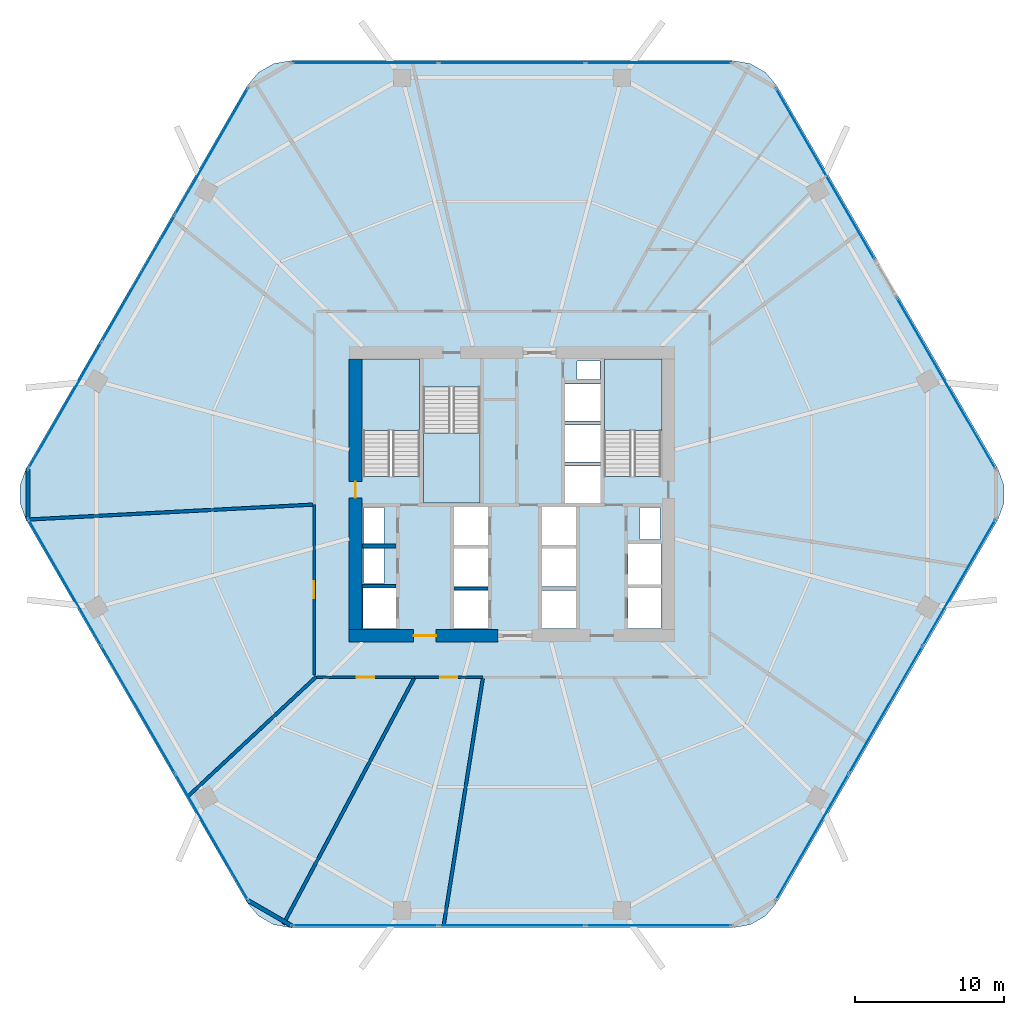
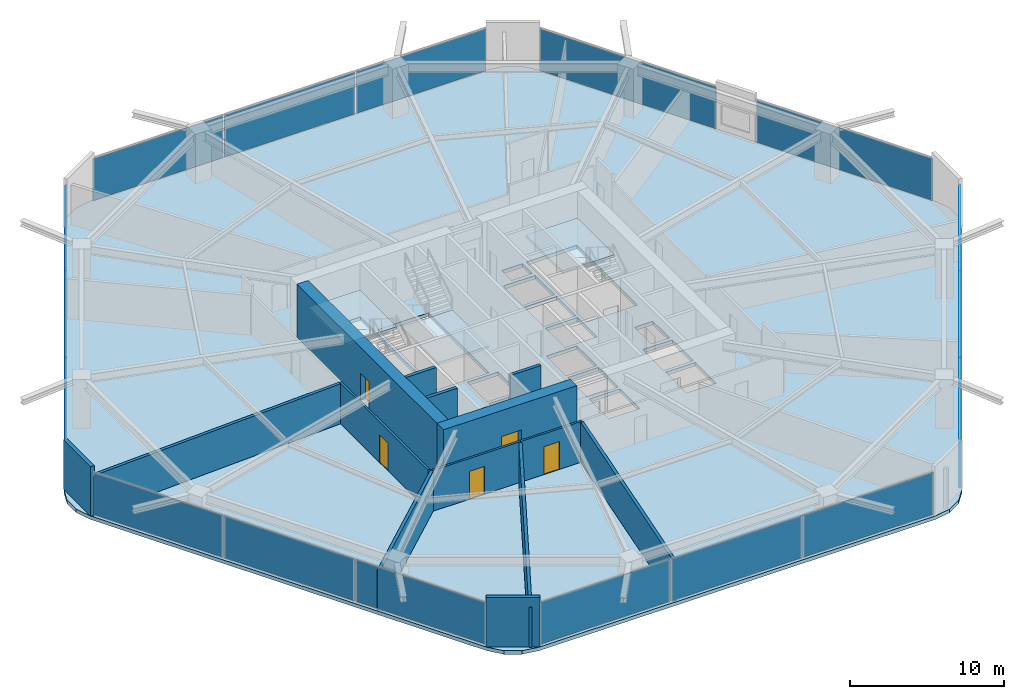
# One storey, part 21 of 25: 17 plates, 14 walls, 5 doors, 4 slabs, 5 openings, 10 elements without a shape of their own.
"""IFC4 building model written with IfcOpenShell, lengths in metres."""

from ifc_helpers import new_model, si_unit, direction, frame, frame_2d, origin, origin_2d, place, context, subcontext, project, spatial, polyline, rectangle, outline, extrude, material, layer, layer_set, type_object, element, fill, aggregate, save


model = new_model("IFC4")

# Units and contexts
model_context = context("Model", 3, precision=1e-05, world=origin(), true_north=direction((0.0, 1.0)))
body_context = subcontext(model_context, "Body", "Model", "MODEL_VIEW")
ifc_project = project(units=[si_unit("LENGTHUNIT", "METRE"), si_unit("AREAUNIT", "SQUARE_METRE"), si_unit("VOLUMEUNIT", "CUBIC_METRE"), si_unit("PLANEANGLEUNIT", "RADIAN"), si_unit("MASSUNIT", "GRAM", prefix="KILO")], contexts=[model_context])

# Site, building, storey
site_placement = place(None, origin())
site = spatial("IfcSite", under=ifc_project, at=site_placement, CompositionType="ELEMENT")
building_placement = place(site_placement, origin())
building = spatial("IfcBuilding", under=site, at=building_placement, Name="Zuhravey Tower", CompositionType="ELEMENT")
storey_placement = place(building_placement, frame((0.0, 0.0, 37.199951171875)))
storey = spatial("IfcBuildingStorey", under=building, at=storey_placement, Name="L09", CompositionType="ELEMENT", Elevation=37.199951171875)

# Curtain wall, plates
ifc_material_1 = material(Name="Thermally broken anodised aluminium", Category="aluminium")
curtain_wall_type = type_object("IfcCurtainWallType", Name="School Low-E Unitised Curtain Wall CW1", PredefinedType="NOTDEFINED", material=ifc_material_1)
curtain_wall_1_placement = place(storey_placement, origin())
curtain_wall_1 = element("IfcCurtainWall", 1, at=curtain_wall_1_placement, inside=storey, type_object=curtain_wall_type, Name="L09 CW1 CW-L09-F6-1", PredefinedType="NOTDEFINED")
ifc_material_2 = material(Name="Laminated acoustic low-E vision glass", Category="glass")
ifc_layer_1 = layer(ifc_material_2, 0.048095703125)
ifc_layer_set_1 = layer_set([ifc_layer_1], Name="Laminated acoustic low-E vision glass")
plate_type = type_object("IfcPlateType", Name="Acoustic School Vision Panel", PredefinedType="CURTAIN_PANEL", material=ifc_layer_set_1)
plate_1_placement = place(storey_placement, frame((66.000732421875, 26.045654296875, 0.090087890625), z_axis=(0.0, 0.0, 1.0), x_axis=(-0.499999794119, -0.86602552265, 0.0)))
plate_1 = element("IfcPlate", 2, at=plate_1_placement, type_object=plate_type, Name="CW1 panel 1.1", PredefinedType="CURTAIN_PANEL", context=body_context, shape_type="SweptSolid", body=[
    extrude(rectangle(XDim=9.7314453125, YDim=0.048095703125, at=origin_2d()), origin(), (0.0, 0.0, 1.0), 3.31201171875),
])
plate_2_placement = place(storey_placement, frame((61.078857421875, 17.520751953125, 0.090087890625), z_axis=(0.0, 0.0, 1.0), x_axis=(-0.499999794119, -0.86602552265, 0.0)))
plate_2 = element("IfcPlate", 3, at=plate_2_placement, type_object=plate_type, Name="CW1 panel 2.1", PredefinedType="CURTAIN_PANEL", context=body_context, shape_type="SweptSolid", body=[
    extrude(rectangle(XDim=9.7763671875, YDim=0.048095703125, at=origin_2d()), origin(), (0.0, 0.0, 1.0), 3.31201171875),
])
plate_3_placement = place(storey_placement, frame((56.15673828125, 8.995849609375, 0.090087890625), z_axis=(0.0, 0.0, 1.0), x_axis=(-0.499999794119, -0.86602552265, 0.0)))
plate_3 = element("IfcPlate", 4, at=plate_3_placement, type_object=plate_type, Name="CW1 panel 3.1", PredefinedType="CURTAIN_PANEL", context=body_context, shape_type="SweptSolid", body=[
    extrude(rectangle(XDim=9.7314453125, YDim=0.048095703125, at=origin_2d()), origin(), (0.0, 0.0, 1.0), 3.31201171875),
])
aggregate(curtain_wall_1, [plate_1, plate_2, plate_3])

curtain_wall_2_placement = place(storey_placement, origin())
curtain_wall_2 = element("IfcCurtainWall", 5, at=curtain_wall_2_placement, inside=storey, type_object=curtain_wall_type, Name="L09 CW1 CW-L09-F5-1", PredefinedType="NOTDEFINED")
plate_4_placement = place(storey_placement, frame((45.84375, 3.04150390625, 0.090087890625), z_axis=(0.0, 0.0, 1.0), x_axis=(-1.0, 0.0, 0.0)))
plate_4 = element("IfcPlate", 6, at=plate_4_placement, type_object=plate_type, Name="CW1 panel 1.1", PredefinedType="CURTAIN_PANEL", context=body_context, shape_type="SweptSolid", body=[
    extrude(rectangle(XDim=9.7314453125, YDim=0.048095703125, at=origin_2d()), origin(), (0.0, 0.0, 1.0), 3.31201171875),
])
plate_5_placement = place(storey_placement, frame((36.0, 3.04150390625, 0.090087890625), z_axis=(0.0, 0.0, 1.0), x_axis=(-1.0, 0.0, 0.0)))
plate_5 = element("IfcPlate", 7, at=plate_5_placement, type_object=plate_type, Name="CW1 panel 2.1", PredefinedType="CURTAIN_PANEL", context=body_context, shape_type="SweptSolid", body=[
    extrude(rectangle(XDim=9.7763671875, YDim=0.048095703125, at=origin_2d()), origin(), (0.0, 0.0, 1.0), 3.31201171875),
])
plate_6_placement = place(storey_placement, frame((26.15625, 3.04150390625, 0.090087890625), z_axis=(0.0, 0.0, 1.0), x_axis=(-1.0, 0.0, 0.0)))
plate_6 = element("IfcPlate", 8, at=plate_6_placement, type_object=plate_type, Name="CW1 panel 3.1", PredefinedType="CURTAIN_PANEL", context=body_context, shape_type="SweptSolid", body=[
    extrude(rectangle(XDim=9.7314453125, YDim=0.048095703125, at=origin_2d()), origin(), (0.0, 0.0, 1.0), 3.31201171875),
])
aggregate(curtain_wall_2, [plate_4, plate_5, plate_6])

curtain_wall_3_placement = place(storey_placement, origin())
curtain_wall_3 = element("IfcCurtainWall", 9, at=curtain_wall_3_placement, inside=storey, type_object=curtain_wall_type, Name="L09 CW1 CW-L09-F4-1", PredefinedType="NOTDEFINED")
plate_7_placement = place(storey_placement, frame((15.84326171875, 8.995849609375, 0.090087890625), z_axis=(0.0, 0.0, 1.0), x_axis=(-0.499999794119, 0.86602552265, 0.0)))
plate_7 = element("IfcPlate", 10, at=plate_7_placement, type_object=plate_type, Name="CW1 panel 1.1", PredefinedType="CURTAIN_PANEL", context=body_context, shape_type="SweptSolid", body=[
    extrude(rectangle(XDim=9.7314453125, YDim=0.048095703125, at=origin_2d()), origin(), (0.0, 0.0, 1.0), 3.31201171875),
])
plate_8_placement = place(storey_placement, frame((10.921142578125, 17.520751953125, 0.090087890625), z_axis=(0.0, 0.0, 1.0), x_axis=(-0.499999794119, 0.86602552265, 0.0)))
plate_8 = element("IfcPlate", 11, at=plate_8_placement, type_object=plate_type, Name="CW1 panel 2.1", PredefinedType="CURTAIN_PANEL", context=body_context, shape_type="SweptSolid", body=[
    extrude(rectangle(XDim=9.7763671875, YDim=0.048095703125, at=origin_2d()), origin(), (0.0, 0.0, 1.0), 3.31201171875),
])
plate_9_placement = place(storey_placement, frame((5.999267578125, 26.045654296875, 0.090087890625), z_axis=(0.0, 0.0, 1.0), x_axis=(-0.499999794119, 0.86602552265, 0.0)))
plate_9 = element("IfcPlate", 12, at=plate_9_placement, type_object=plate_type, Name="CW1 panel 3.1", PredefinedType="CURTAIN_PANEL", context=body_context, shape_type="SweptSolid", body=[
    extrude(rectangle(XDim=9.7314453125, YDim=0.048095703125, at=origin_2d()), origin(), (0.0, 0.0, 1.0), 3.31201171875),
])
aggregate(curtain_wall_3, [plate_7, plate_8, plate_9])

curtain_wall_4_placement = place(storey_placement, origin())
curtain_wall_4 = element("IfcCurtainWall", 13, at=curtain_wall_4_placement, inside=storey, type_object=curtain_wall_type, Name="L09 CW1 CW-L09-F3-1", PredefinedType="NOTDEFINED")
plate_10_placement = place(storey_placement, frame((5.999267578125, 37.954345703125, 0.090087890625), z_axis=(0.0, 0.0, 1.0), x_axis=(0.499999794119, 0.86602552265, 0.0)))
plate_10 = element("IfcPlate", 14, at=plate_10_placement, type_object=plate_type, Name="CW1 panel 1.1", PredefinedType="CURTAIN_PANEL", context=body_context, shape_type="SweptSolid", body=[
    extrude(rectangle(XDim=9.7314453125, YDim=0.048095703125, at=origin_2d()), origin(), (0.0, 0.0, 1.0), 3.31201171875),
])
plate_11_placement = place(storey_placement, frame((10.921142578125, 46.479248046875, 0.090087890625), z_axis=(0.0, 0.0, 1.0), x_axis=(0.499999794119, 0.86602552265, 0.0)))
plate_11 = element("IfcPlate", 15, at=plate_11_placement, type_object=plate_type, Name="CW1 panel 2.1", PredefinedType="CURTAIN_PANEL", context=body_context, shape_type="SweptSolid", body=[
    extrude(rectangle(XDim=9.7763671875, YDim=0.048095703125, at=origin_2d()), origin(), (0.0, 0.0, 1.0), 3.31201171875),
])
plate_12_placement = place(storey_placement, frame((15.84326171875, 55.004150390625, 0.090087890625), z_axis=(0.0, 0.0, 1.0), x_axis=(0.499999794119, 0.86602552265, 0.0)))
plate_12 = element("IfcPlate", 16, at=plate_12_placement, type_object=plate_type, Name="CW1 panel 3.1", PredefinedType="CURTAIN_PANEL", context=body_context, shape_type="SweptSolid", body=[
    extrude(rectangle(XDim=9.7314453125, YDim=0.048095703125, at=origin_2d()), origin(), (0.0, 0.0, 1.0), 3.31201171875),
])
aggregate(curtain_wall_4, [plate_10, plate_11, plate_12])

curtain_wall_5_placement = place(storey_placement, origin())
curtain_wall_5 = element("IfcCurtainWall", 17, at=curtain_wall_5_placement, inside=storey, type_object=curtain_wall_type, Name="L09 CW1 CW-L09-F2-1", PredefinedType="NOTDEFINED")
plate_13_placement = place(storey_placement, frame((26.15625, 60.95849609375, 0.090087890625), z_axis=(0.0, 0.0, 1.0), x_axis=(1.0, 0.0, 0.0)))
plate_13 = element("IfcPlate", 18, at=plate_13_placement, type_object=plate_type, Name="CW1 panel 1.1", PredefinedType="CURTAIN_PANEL", context=body_context, shape_type="SweptSolid", body=[
    extrude(rectangle(XDim=9.7314453125, YDim=0.048095703125, at=origin_2d()), origin(), (0.0, 0.0, 1.0), 3.31201171875),
])
plate_14_placement = place(storey_placement, frame((36.0, 60.95849609375, 0.090087890625), z_axis=(0.0, 0.0, 1.0), x_axis=(1.0, 0.0, 0.0)))
plate_14 = element("IfcPlate", 19, at=plate_14_placement, type_object=plate_type, Name="CW1 panel 2.1", PredefinedType="CURTAIN_PANEL", context=body_context, shape_type="SweptSolid", body=[
    extrude(rectangle(XDim=9.7763671875, YDim=0.048095703125, at=origin_2d()), origin(), (0.0, 0.0, 1.0), 3.31201171875),
])
plate_15_placement = place(storey_placement, frame((45.84375, 60.95849609375, 0.090087890625), z_axis=(0.0, 0.0, 1.0), x_axis=(1.0, 0.0, 0.0)))
plate_15 = element("IfcPlate", 20, at=plate_15_placement, type_object=plate_type, Name="CW1 panel 3.1", PredefinedType="CURTAIN_PANEL", context=body_context, shape_type="SweptSolid", body=[
    extrude(rectangle(XDim=9.7314453125, YDim=0.048095703125, at=origin_2d()), origin(), (0.0, 0.0, 1.0), 3.31201171875),
])
aggregate(curtain_wall_5, [plate_13, plate_14, plate_15])

# Curtain wall, plate
curtain_wall_6_placement = place(storey_placement, origin())
curtain_wall_6 = element("IfcCurtainWall", 21, at=curtain_wall_6_placement, inside=storey, type_object=curtain_wall_type, Name="L09 CW1 CW-L09-F1-1", PredefinedType="NOTDEFINED")
plate_16_placement = place(storey_placement, frame((57.022705078125, 53.504638671875, 0.090087890625), z_axis=(0.0, 0.0, 1.0), x_axis=(0.499995796318, -0.866027830768, 0.0)))
plate_16 = element("IfcPlate", 22, at=plate_16_placement, type_object=plate_type, Name="CW1 panel 1.1", PredefinedType="CURTAIN_PANEL", context=body_context, shape_type="SweptSolid", body=[
    extrude(rectangle(XDim=13.194580078125, YDim=0.048095703125, at=origin_2d()), origin(), (0.0, 0.0, 1.0), 3.31201171875),
])
aggregate(curtain_wall_6, [plate_16])

curtain_wall_7_placement = place(storey_placement, origin())
curtain_wall_7 = element("IfcCurtainWall", 23, at=curtain_wall_7_placement, inside=storey, type_object=curtain_wall_type, Name="L09 CW1 CW-L09-F1-2", PredefinedType="NOTDEFINED")
plate_17_placement = place(storey_placement, frame((65.134765625, 39.453857421875, 0.090087890625), z_axis=(0.0, 0.0, 1.0), x_axis=(0.500001403986, -0.866024593191, 0.0)))
plate_17 = element("IfcPlate", 24, at=plate_17_placement, type_object=plate_type, Name="CW1 panel 1.1", PredefinedType="CURTAIN_PANEL", context=body_context, shape_type="SweptSolid", body=[
    extrude(rectangle(XDim=13.194580078125, YDim=0.048095703125, at=origin_2d()), origin(), (0.0, 0.0, 1.0), 3.31201171875),
])
aggregate(curtain_wall_7, [plate_17])

# Slab
ifc_material_3 = material(Name="Concrete C50/60", Category="concrete")
ifc_layer_2 = layer(ifc_material_3, 0.280029296875)
ifc_layer_set_2 = layer_set([ifc_layer_2], Name="Concrete C50/60")
slab_type_1 = type_object("IfcSlabType", Name="School Composite Floor Slab 280", PredefinedType="FLOOR", material=ifc_layer_set_2)
slab_1_placement = place(storey_placement, frame((0.0, 0.0, -0.280029296875)))
element("IfcSlab", 25, at=slab_1_placement, inside=storey, type_object=slab_type_1, Name="L09 Floor Slab FS28", PredefinedType="FLOOR", context=body_context, shape_type="SweptSolid", body=[
    extrude(outline(polyline([(68.618408203125, 30.300048828125), (69.0224609375, 31.40966796875), (69.0224609375, 32.59033203125), (68.618408203125, 33.699951171875), (53.781494140625, 59.3984375), (53.0224609375, 60.302978515625), (52.0, 60.893310546875), (50.8369140625, 61.098388671875), (21.1630859375, 61.098388671875), (20.0, 60.893310546875), (18.9775390625, 60.302978515625), (18.218505859375, 59.3984375), (3.381591796875, 33.699951171875), (2.9775390625, 32.59033203125), (2.9775390625, 31.40966796875), (3.381591796875, 30.300048828125), (18.218505859375, 4.6015625), (18.9775390625, 3.697021484375), (20.0, 3.106689453125), (21.1630859375, 2.901611328125), (50.8369140625, 2.901611328125), (52.0, 3.106689453125), (53.0224609375, 3.697021484375), (53.781494140625, 4.6015625), (68.618408203125, 30.300048828125)]), holes=[polyline([(29.800048828125, 33.20068359375), (29.800048828125, 41.0), (26.0, 41.0), (26.0, 33.20068359375), (29.800048828125, 33.20068359375)]), polyline([(46.0, 33.20068359375), (46.0, 41.0), (42.199951171875, 41.0), (42.199951171875, 33.20068359375), (46.0, 33.20068359375)]), polyline([(30.050048828125, 39.199462890625), (30.050048828125, 31.39990234375), (33.85009765625, 31.39990234375), (33.85009765625, 39.199462890625), (30.050048828125, 39.199462890625)]), polyline([(32.10009765625, 23.0), (34.39990234375, 23.0), (34.39990234375, 25.550048828125), (32.10009765625, 25.550048828125), (32.10009765625, 23.0)]), polyline([(32.10009765625, 25.800048828125), (34.39990234375, 25.800048828125), (34.39990234375, 28.35009765625), (32.10009765625, 28.35009765625), (32.10009765625, 25.800048828125)]), polyline([(32.10009765625, 28.60009765625), (34.39990234375, 28.60009765625), (34.39990234375, 31.14990234375), (32.10009765625, 31.14990234375), (32.10009765625, 28.60009765625)]), polyline([(38.0, 23.0), (40.300048828125, 23.0), (40.300048828125, 25.550048828125), (38.0, 25.550048828125), (38.0, 23.0)]), polyline([(38.0, 25.800048828125), (40.300048828125, 25.800048828125), (40.300048828125, 28.35009765625), (38.0, 28.35009765625), (38.0, 25.800048828125)]), polyline([(38.0, 28.60009765625), (40.300048828125, 28.60009765625), (40.300048828125, 31.14990234375), (38.0, 31.14990234375), (38.0, 28.60009765625)]), polyline([(39.550048828125, 31.39990234375), (41.949951171875, 31.39990234375), (41.949951171875, 33.89990234375), (39.550048828125, 33.89990234375), (39.550048828125, 31.39990234375)]), polyline([(39.550048828125, 34.14990234375), (41.949951171875, 34.14990234375), (41.949951171875, 36.64990234375), (39.550048828125, 36.64990234375), (39.550048828125, 34.14990234375)]), polyline([(39.550048828125, 36.89990234375), (41.949951171875, 36.89990234375), (41.949951171875, 39.39990234375), (39.550048828125, 39.39990234375), (39.550048828125, 36.89990234375)]), polyline([(26.0, 23.0), (28.199951171875, 23.0), (28.199951171875, 25.699951171875), (26.0, 25.699951171875), (26.0, 23.0)]), polyline([(43.800048828125, 23.0), (46.0, 23.0), (46.0, 25.699951171875), (43.800048828125, 25.699951171875), (43.800048828125, 23.0)]), polyline([(43.800048828125, 25.949951171875), (46.0, 25.949951171875), (46.0, 28.64990234375), (43.800048828125, 28.64990234375), (43.800048828125, 25.949951171875)]), polyline([(26.050048828125, 26.0), (27.39990234375, 26.0), (27.39990234375, 28.35009765625), (26.050048828125, 28.35009765625), (26.050048828125, 26.0)]), polyline([(26.050048828125, 28.699951171875), (27.39990234375, 28.699951171875), (27.39990234375, 31.10009765625), (26.050048828125, 31.10009765625), (26.050048828125, 28.699951171875)]), polyline([(44.60009765625, 28.949951171875), (45.949951171875, 28.949951171875), (45.949951171875, 31.10009765625), (44.60009765625, 31.10009765625), (44.60009765625, 28.949951171875)]), polyline([(40.35009765625, 39.699951171875), (41.89990234375, 39.699951171875), (41.89990234375, 40.949951171875), (40.35009765625, 40.949951171875), (40.35009765625, 39.699951171875)])]), origin(), (0.0, 0.0, 1.0), 0.280029296875),
])

# Stair, slab
ifc_material_4 = material(Name="Concrete C40/50", Category="concrete")
stair_type = type_object("IfcStairType", Name="School Storey Stair Assembly 4200", PredefinedType="HALF_TURN_STAIR", material=ifc_material_4)
stair_1_placement = place(storey_placement, origin())
stair_1 = element("IfcStair", 26, at=stair_1_placement, inside=storey, type_object=stair_type, Name="L09 Core Exit Stair ST1", PredefinedType="HALF_TURN_STAIR")
ifc_layer_3 = layer(ifc_material_4, 0.199951171875)
ifc_layer_set_3 = layer_set([ifc_layer_3], Name="Concrete C40/50")
slab_type_2 = type_object("IfcSlabType", Name="Stair Landing Slab 200", PredefinedType="LANDING", material=ifc_layer_set_3)
slab_2_placement = place(storey_placement, frame((0.0, 0.0, 1.900146484375)))
slab_2 = element("IfcSlab", 27, at=slab_2_placement, type_object=slab_type_2, Name="ST1 landing 1", PredefinedType="LANDING", context=body_context, shape_type="SweptSolid", body=[
    extrude(outline(polyline([(29.800048828125, 36.280029296875), (29.800048828125, 41.072998046875), (25.927001953125, 41.072998046875), (25.927001953125, 36.280029296875), (29.800048828125, 36.280029296875)])), origin(), (0.0, 0.0, 1.0), 0.199951171875),
])
aggregate(stair_1, [slab_2])

stair_2_placement = place(storey_placement, origin())
stair_2 = element("IfcStair", 28, at=stair_2_placement, inside=storey, type_object=stair_type, Name="L09 Core Exit Stair ST2", PredefinedType="HALF_TURN_STAIR")
slab_3_placement = place(storey_placement, frame((0.0, 0.0, 1.900146484375)))
slab_3 = element("IfcSlab", 29, at=slab_3_placement, type_object=slab_type_2, Name="ST2 landing 1", PredefinedType="LANDING", context=body_context, shape_type="SweptSolid", body=[
    extrude(outline(polyline([(46.072998046875, 36.280029296875), (46.072998046875, 41.072998046875), (42.199951171875, 41.072998046875), (42.199951171875, 36.280029296875), (46.072998046875, 36.280029296875)])), origin(), (0.0, 0.0, 1.0), 0.199951171875),
])
aggregate(stair_2, [slab_3])

stair_3_placement = place(storey_placement, origin())
stair_3 = element("IfcStair", 30, at=stair_3_placement, inside=storey, type_object=stair_type, Name="L09 Core Exit Stair ST3", PredefinedType="HALF_TURN_STAIR")
slab_4_placement = place(storey_placement, frame((0.0, 0.0, 1.900146484375)))
slab_4 = element("IfcSlab", 31, at=slab_4_placement, type_object=slab_type_2, Name="ST3 landing 1", PredefinedType="LANDING", context=body_context, shape_type="SweptSolid", body=[
    extrude(outline(polyline([(30.050048828125, 36.1201171875), (30.050048828125, 31.39990234375), (33.85009765625, 31.39990234375), (33.85009765625, 36.1201171875), (30.050048828125, 36.1201171875)])), origin(), (0.0, 0.0, 1.0), 0.199951171875),
])
aggregate(stair_3, [slab_4])

# Wall, opening, door
ifc_material_5 = material(Name="Concrete C60/75", Category="concrete")
ifc_layer_4 = layer(ifc_material_5, 0.85009765625)
ifc_layer_set_4 = layer_set([ifc_layer_4], Name="Concrete C60/75")
wall_type_1 = type_object("IfcWallType", Name="Core Shear Wall 850", PredefinedType="SHEAR", material=ifc_layer_set_4)
wall_1_placement = place(storey_placement, frame((25.074951171875, 22.5, 0.0), z_axis=(0.0, 0.0, 1.0), x_axis=(1.0, 0.0, 0.0)))
wall_1 = element("IfcWall", 32, at=wall_1_placement, inside=storey, type_object=wall_type_1, Name="L09 South-West Core Shear Wall CW85", PredefinedType="SHEAR", context=body_context, shape_type="SweptSolid", body=[
    extrude(rectangle(XDim=9.97509765625, YDim=0.85009765625, at=frame_2d((4.987548828125, 0.0))), origin(), (0.0, 0.0, 1.0), 4.199951171875),
])
opening_1_placement = place(wall_1_placement, frame((4.324951171875, 0.0, 0.0)))
opening_1 = element("IfcOpeningElement", 33, at=opening_1_placement, cuts=wall_1, Name="Opening FFD1", PredefinedType="OPENING", context=body_context, shape_type="SweptSolid", body=[
    extrude(rectangle(XDim=1.5, YDim=2.14990234375, at=frame_2d((0.75, 1.074951171875))), frame((0.0, 0.43701171875, 0.0), z_axis=(0.0, -1.0, 0.0), x_axis=(1.0, 0.0, 0.0)), (0.0, 0.0, 1.0), 0.8740234375),
])
ifc_material_6 = material(Name="Galvanised fire-rated steel leaf", Category="steel")
door_type_1 = type_object("IfcDoorType", Name="Firefighting Lobby Double Door 1500x2150", OperationType="DOUBLE_DOOR_SINGLE_SWING", PredefinedType="DOOR", material=ifc_material_6)
door_1_placement = place(opening_1_placement, origin())
door_1 = element("IfcDoor", 34, at=door_1_placement, inside=storey, type_object=door_type_1, Name="L09 Firefighting Lobby West Door", OperationType="DOUBLE_DOOR_SINGLE_SWING", OverallHeight=2.14990234375, OverallWidth=1.5, PredefinedType="DOOR", context=body_context, shape_type="SweptSolid", body=[
    extrude(rectangle(XDim=1.5, YDim=2.14990234375, at=frame_2d((0.75, 1.074951171875))), frame((0.0, 0.02490234375, 0.0), z_axis=(0.0, -1.0, 0.0), x_axis=(1.0, 0.0, 0.0)), (0.0, 0.0, 1.0), 0.050048828125),
])
fill(opening_1, door_1)

wall_2_placement = place(storey_placement, frame((25.5, 22.925048828125, 0.0), z_axis=(0.0, 0.0, 1.0), x_axis=(0.0, 1.0, 0.0)))
wall_2 = element("IfcWall", 35, at=wall_2_placement, inside=storey, type_object=wall_type_1, Name="L09 West Core Shear Wall CW85", PredefinedType="SHEAR", context=body_context, shape_type="SweptSolid", body=[
    extrude(rectangle(XDim=18.14990234375, YDim=0.85009765625, at=frame_2d((9.074951171875, 0.0))), origin(), (0.0, 0.0, 1.0), 4.199951171875),
])
opening_2_placement = place(wall_2_placement, frame((8.824951171875, 0.0, 0.0)))
opening_2 = element("IfcOpeningElement", 36, at=opening_2_placement, cuts=wall_2, Name="Opening STD1", PredefinedType="OPENING", context=body_context, shape_type="SweptSolid", body=[
    extrude(rectangle(XDim=1.10009765625, YDim=2.14990234375, at=frame_2d((0.550048828125, 1.074951171875))), frame((0.0, 0.43701171875, 0.0), z_axis=(0.0, -1.0, 0.0), x_axis=(1.0, 0.0, 0.0)), (0.0, 0.0, 1.0), 0.8740234375),
])
door_type_2 = type_object("IfcDoorType", Name="Protected Stair Fire Door 1100x2150", OperationType="NOTDEFINED", PredefinedType="USERDEFINED", material=ifc_material_6)
door_2_placement = place(opening_2_placement, frame((1.10009765625, 0.0, 0.0), z_axis=(0.0, 0.0, 1.0), x_axis=(-1.0, 0.0, 0.0)))
door_2 = element("IfcDoor", 37, at=door_2_placement, inside=storey, type_object=door_type_2, Name="L09 Stair ST1 Door", ObjectType="EXITDOOR", OperationType="SINGLE_SWING_RIGHT", OverallHeight=2.14990234375, OverallWidth=1.10009765625, PredefinedType="USERDEFINED", context=body_context, shape_type="SweptSolid", body=[
    extrude(rectangle(XDim=1.10009765625, YDim=2.14990234375, at=frame_2d((0.550048828125, 1.074951171875))), frame((0.0, 0.02490234375, 0.0), z_axis=(0.0, -1.0, 0.0), x_axis=(1.0, 0.0, 0.0)), (0.0, 0.0, 1.0), 0.050048828125),
])
fill(opening_2, door_2)

ifc_material_7 = material(Name="Gypsum fire-rated stud partition")
ifc_layer_5 = layer(ifc_material_7, 0.159912109375)
ifc_layer_set_5 = layer_set([ifc_layer_5], Name="Gypsum fire-rated stud partition")
wall_type_2 = type_object("IfcWallType", Name="Corridor Fire Partition 160", PredefinedType="PARTITIONING", material=ifc_layer_set_5)
wall_3_placement = place(storey_placement, frame((22.715087890625, 31.3037109375, 0.0), z_axis=(0.0, 0.0, 1.0), x_axis=(0.0, -1.0, 0.0)))
wall_3 = element("IfcWall", 38, at=wall_3_placement, inside=storey, type_object=wall_type_2, Name="L09 IW16 Partition 027", PredefinedType="PARTITIONING", context=body_context, shape_type="SweptSolid", body=[
    extrude(rectangle(XDim=11.4287109375, YDim=0.159912109375, at=frame_2d((5.71435546875, 0.0))), origin(), (0.0, 0.0, 1.0), 3.219970703125),
])
opening_3_placement = place(wall_3_placement, frame((5.139404296875, 0.0, 0.0)))
opening_3 = element("IfcOpeningElement", 39, at=opening_3_placement, cuts=wall_3, Name="Opening CLD1", PredefinedType="OPENING", context=body_context, shape_type="SweptSolid", body=[
    extrude(rectangle(XDim=1.14990234375, YDim=2.199951171875, at=frame_2d((0.574951171875, 1.10009765625))), frame((0.0, 0.092041015625, 0.0), z_axis=(0.0, -1.0, 0.0), x_axis=(1.0, 0.0, 0.0)), (0.0, 0.0, 1.0), 0.183837890625),
])
ifc_material_8 = material(Name="Acoustic timber leaf with vision lite", Category="wood")
door_type_3 = type_object("IfcDoorType", Name="Classroom Acoustic Door 1150x2200", OperationType="NOTDEFINED", PredefinedType="DOOR", material=ifc_material_8)
door_3_placement = place(opening_3_placement, frame((1.14990234375, 0.0, 0.0), z_axis=(0.0, 0.0, 1.0), x_axis=(-1.0, 0.0, 0.0)))
door_3 = element("IfcDoor", 40, at=door_3_placement, inside=storey, type_object=door_type_3, Name="L09 Door 027.1", OperationType="SINGLE_SWING_RIGHT", OverallHeight=2.199951171875, OverallWidth=1.14990234375, PredefinedType="DOOR", context=body_context, shape_type="SweptSolid", body=[
    extrude(rectangle(XDim=1.14990234375, YDim=2.199951171875, at=frame_2d((0.574951171875, 1.10009765625))), frame((0.0, 0.02490234375, 0.0), z_axis=(0.0, -1.0, 0.0), x_axis=(1.0, 0.0, 0.0)), (0.0, 0.0, 1.0), 0.050048828125),
])
fill(opening_3, door_3)

wall_4_placement = place(storey_placement, frame((22.875, 19.715087890625, 0.0), z_axis=(0.0, 0.0, 1.0), x_axis=(1.0, 0.0, 0.0)))
wall_4 = element("IfcWall", 41, at=wall_4_placement, inside=storey, type_object=wall_type_2, Name="L09 IW16 Partition 028", PredefinedType="PARTITIONING", context=body_context, shape_type="SweptSolid", body=[
    extrude(rectangle(XDim=6.593017578125, YDim=0.159912109375, at=frame_2d((3.29638671875, 0.0))), origin(), (0.0, 0.0, 1.0), 3.219970703125),
])
opening_4_placement = place(wall_4_placement, frame((2.721435546875, 0.0, 0.0)))
opening_4 = element("IfcOpeningElement", 42, at=opening_4_placement, cuts=wall_4, Name="Opening CLD1", PredefinedType="OPENING", context=body_context, shape_type="SweptSolid", body=[
    extrude(rectangle(XDim=1.14990234375, YDim=2.199951171875, at=frame_2d((0.574951171875, 1.10009765625))), frame((0.0, 0.092041015625, 0.0), z_axis=(0.0, -1.0, 0.0), x_axis=(1.0, 0.0, 0.0)), (0.0, 0.0, 1.0), 0.183837890625),
])
door_4_placement = place(opening_4_placement, frame((1.14990234375, 0.0, 0.0), z_axis=(0.0, 0.0, 1.0), x_axis=(-1.0, 0.0, 0.0)))
door_4 = element("IfcDoor", 43, at=door_4_placement, inside=storey, type_object=door_type_3, Name="L09 Door 028.1", OperationType="SINGLE_SWING_LEFT", OverallHeight=2.199951171875, OverallWidth=1.14990234375, PredefinedType="DOOR", context=body_context, shape_type="SweptSolid", body=[
    extrude(rectangle(XDim=1.14990234375, YDim=2.199951171875, at=frame_2d((0.574951171875, 1.10009765625))), frame((0.0, 0.02490234375, 0.0), z_axis=(0.0, -1.0, 0.0), x_axis=(1.0, 0.0, 0.0)), (0.0, 0.0, 1.0), 0.050048828125),
])
fill(opening_4, door_4)

wall_5_placement = place(storey_placement, frame((29.468017578125, 19.715087890625, 0.0), z_axis=(0.0, 0.0, 1.0), x_axis=(1.0, 0.0, 0.0)))
wall_5 = element("IfcWall", 44, at=wall_5_placement, inside=storey, type_object=wall_type_2, Name="L09 IW16 Partition 029", PredefinedType="PARTITIONING", context=body_context, shape_type="SweptSolid", body=[
    extrude(rectangle(XDim=4.586181640625, YDim=0.159912109375, at=frame_2d((2.29296875, 0.0))), origin(), (0.0, 0.0, 1.0), 3.219970703125),
])
opening_5_placement = place(wall_5_placement, frame((1.71826171875, 0.0, 0.0)))
opening_5 = element("IfcOpeningElement", 45, at=opening_5_placement, cuts=wall_5, Name="Opening CLD1", PredefinedType="OPENING", context=body_context, shape_type="SweptSolid", body=[
    extrude(rectangle(XDim=1.14990234375, YDim=2.199951171875, at=frame_2d((0.574951171875, 1.10009765625))), frame((0.0, 0.092041015625, 0.0), z_axis=(0.0, -1.0, 0.0), x_axis=(1.0, 0.0, 0.0)), (0.0, 0.0, 1.0), 0.183837890625),
])
door_5_placement = place(opening_5_placement, frame((1.14990234375, 0.0, 0.0), z_axis=(0.0, 0.0, 1.0), x_axis=(-1.0, 0.0, 0.0)))
door_5 = element("IfcDoor", 46, at=door_5_placement, inside=storey, type_object=door_type_3, Name="L09 Door 029.1", OperationType="SINGLE_SWING_RIGHT", OverallHeight=2.199951171875, OverallWidth=1.14990234375, PredefinedType="DOOR", context=body_context, shape_type="SweptSolid", body=[
    extrude(rectangle(XDim=1.14990234375, YDim=2.199951171875, at=frame_2d((0.574951171875, 1.10009765625))), frame((0.0, 0.02490234375, 0.0), z_axis=(0.0, -1.0, 0.0), x_axis=(1.0, 0.0, 0.0)), (0.0, 0.0, 1.0), 0.050048828125),
])
fill(opening_5, door_5)

# Walls
ifc_material_9 = material(Name="Precast concrete C40/50", Category="concrete")
ifc_layer_6 = layer(ifc_material_9, 0.280029296875)
ifc_layer_set_6 = layer_set([ifc_layer_6], Name="Precast concrete C40/50")
wall_type_3 = type_object("IfcWallType", Name="Crown Architectural Wall 280", PredefinedType="SOLIDWALL", material=ifc_layer_set_6)
wall_6_placement = place(storey_placement, frame((21.28271484375, 2.993896484375, 0.0), z_axis=(0.0, 0.0, 1.0), x_axis=(-0.866007452331, 0.500031091541, 0.0)))
element("IfcWall", 47, at=wall_6_placement, inside=storey, type_object=wall_type_3, Name="L09 Rounded Corner Closure Wall EW28-04", PredefinedType="SOLIDWALL", context=body_context, shape_type="SweptSolid", body=[
    extrude(rectangle(XDim=3.514892578125, YDim=0.280029296875, at=frame_2d((1.75732421875, 0.0))), origin(), (0.0, 0.0, 1.0), 3.920166015625),
])
wall_7_placement = place(storey_placement, frame((3.521484375, 30.242431640625, 0.0), z_axis=(0.0, 0.0, 1.0), x_axis=(0.0, 1.0, 0.0)))
element("IfcWall", 48, at=wall_7_placement, inside=storey, type_object=wall_type_3, Name="L09 Rounded Corner Closure Wall EW28-06", PredefinedType="SOLIDWALL", context=body_context, shape_type="SweptSolid", body=[
    extrude(rectangle(XDim=3.51513671875, YDim=0.280029296875, at=frame_2d((1.757568359375, 0.0))), origin(), (0.0, 0.0, 1.0), 3.920166015625),
])
ifc_layer_7 = layer(ifc_material_3, 0.25)
ifc_layer_set_7 = layer_set([ifc_layer_7], Name="Concrete C50/60")
wall_type_4 = type_object("IfcWallType", Name="Firefighting Shaft & Stair Wall 250", PredefinedType="SOLIDWALL", material=ifc_layer_set_7)
for number, where, z_axis, x_axis, name in (
    (49, (25.949951171875, 25.824951171875, 0.0), (0.0, 0.0, 1.0), (1.0, 0.0, 0.0), "L09 FW25 Shaft Wall 009"),
    (50, (25.949951171875, 28.52490234375, 0.0), (0.0, 0.0, 1.0), (1.0, 0.0, 0.0), "L09 FW25 Shaft Wall 010"),
):
    element("IfcWall", number, at=place(storey_placement, frame(where, z_axis=z_axis, x_axis=x_axis)), inside=storey, type_object=wall_type_4, Name=name, PredefinedType="SOLIDWALL", context=body_context, shape_type="SweptSolid", body=[
        extrude(rectangle(XDim=2.25, YDim=0.25, at=frame_2d((1.125, 0.0))), origin(), (0.0, 0.0, 1.0), 4.199951171875),
    ])
ifc_material_10 = material(Name="Gypsum acoustic stud assembly")
ifc_layer_8 = layer(ifc_material_10, 0.219970703125)
ifc_layer_set_8 = layer_set([ifc_layer_8], Name="Gypsum acoustic stud assembly")
wall_type_5 = type_object("IfcWallType", Name="School Acoustic Compartment Wall 220", PredefinedType="PARTITIONING", material=ifc_layer_set_8)
wall_8_placement = place(storey_placement, frame((32.10791015625, 25.675048828125, 0.0), z_axis=(0.0, 0.0, 1.0), x_axis=(1.0, 0.0, 0.0)))
element("IfcWall", 51, at=wall_8_placement, inside=storey, type_object=wall_type_5, Name="L09 IW22 Partition 038", PredefinedType="PARTITIONING", context=body_context, shape_type="SweptSolid", body=[
    extrude(rectangle(XDim=2.2841796875, YDim=0.219970703125, at=frame_2d((1.14208984375, 0.0))), origin(), (0.0, 0.0, 1.0), 3.920166015625),
])
wall_9_placement = place(storey_placement, frame((22.626953125, 31.299072265625, 0.0), z_axis=(0.0, 0.0, 1.0), x_axis=(-0.99862983793, -0.052330170999, 0.0)))
element("IfcWall", 52, at=wall_9_placement, inside=storey, type_object=wall_type_5, Name="L09 IW22 Partition 054", PredefinedType="PARTITIONING", context=body_context, shape_type="SweptSolid", body=[
    extrude(rectangle(XDim=19.109375, YDim=0.219970703125, at=frame_2d((9.5546875, 0.0))), origin(), (0.0, 0.0, 1.0), 3.170166015625),
])
wall_10_placement = place(storey_placement, frame((22.849853515625, 19.7373046875, 0.0), z_axis=(0.0, 0.0, 1.0), x_axis=(-0.731360864489, -0.681990678744, 0.0)))
element("IfcWall", 53, at=wall_10_placement, inside=storey, type_object=wall_type_5, Name="L09 IW22 Partition 055", PredefinedType="PARTITIONING", context=body_context, shape_type="SweptSolid", body=[
    extrude(rectangle(XDim=11.73974609375, YDim=0.219970703125, at=frame_2d((5.869873046875, 0.0))), origin(), (0.0, 0.0, 1.0), 3.170166015625),
])
wall_11_placement = place(storey_placement, frame((29.421142578125, 19.626953125, 0.0), z_axis=(0.0, 0.0, 1.0), x_axis=(-0.469469908408, -0.882948472505, 0.0)))
element("IfcWall", 54, at=wall_11_placement, inside=storey, type_object=wall_type_5, Name="L09 IW22 Partition 056", PredefinedType="PARTITIONING", context=body_context, shape_type="SweptSolid", body=[
    extrude(rectangle(XDim=18.6796875, YDim=0.219970703125, at=frame_2d((9.33984375, 0.0))), origin(), (0.0, 0.0, 1.0), 3.170166015625),
])
wall_12_placement = place(storey_placement, frame((34.040283203125, 19.626953125, 0.0), z_axis=(0.0, 0.0, 1.0), x_axis=(-0.156438882107, -0.98768764099, 0.0)))
element("IfcWall", 55, at=wall_12_placement, inside=storey, type_object=wall_type_5, Name="L09 IW22 Partition 057", PredefinedType="PARTITIONING", context=body_context, shape_type="SweptSolid", body=[
    extrude(rectangle(XDim=16.792236328125, YDim=0.219970703125, at=frame_2d((8.39599609375, 0.0))), origin(), (0.0, 0.0, 1.0), 3.170166015625),
])

save(model, "model.ifc")
